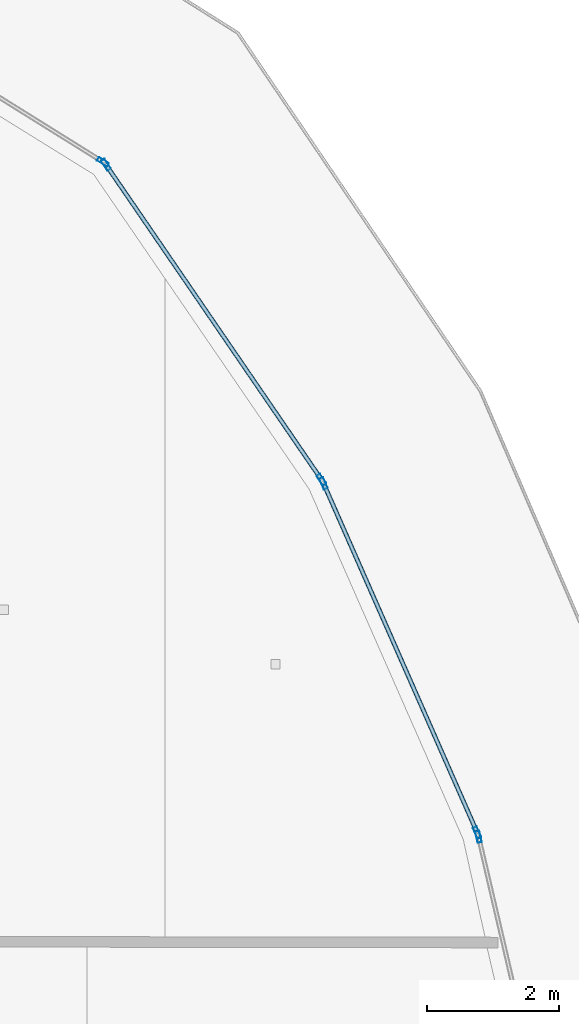
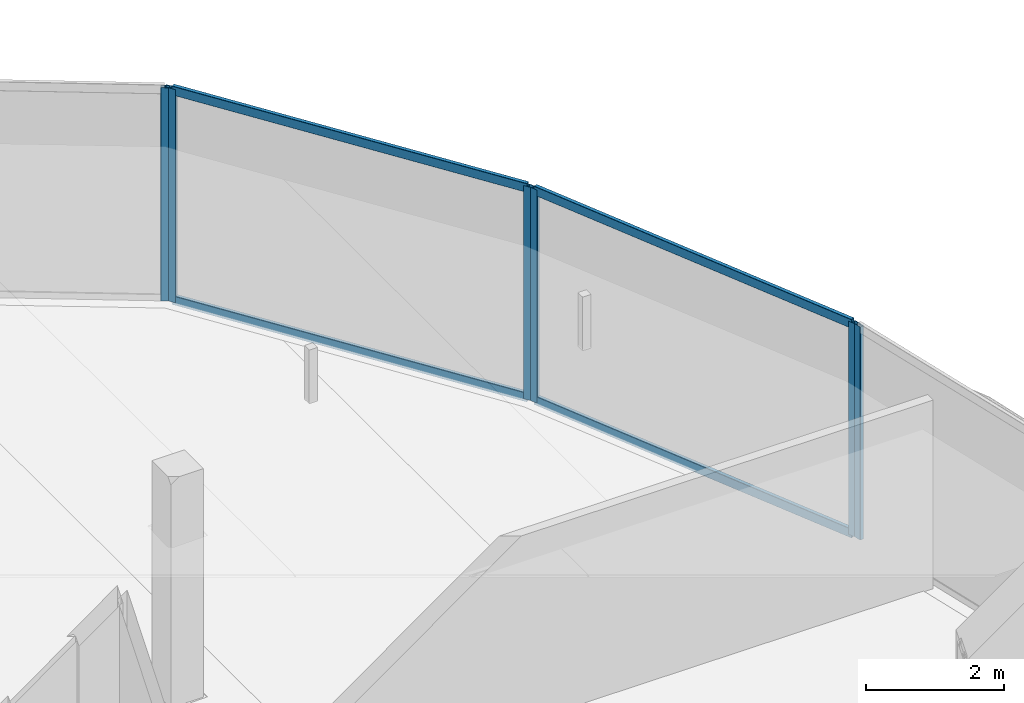
# One storey, part 18 of 30: 10 members, 4 elements without a shape of their own.
"""IFC4 building model written with IfcOpenShell, lengths in metres."""

from ifc_helpers import new_model, si_unit, direction, frame, origin, origin_2d, place, context, subcontext, project, spatial, hollow_rectangle, extrude, material, layer, layer_set, material_profile, profile_set, type_object, element, aggregate, save


model = new_model("IFC4")

# Units and contexts
model_context = context("Model", 3, precision=1e-05, world=origin(), true_north=direction((0.0, 1.0)))
body_context = subcontext(model_context, "Body", "Model", "MODEL_VIEW")
ifc_project = project(units=[si_unit("LENGTHUNIT", "METRE"), si_unit("AREAUNIT", "SQUARE_METRE"), si_unit("VOLUMEUNIT", "CUBIC_METRE"), si_unit("PLANEANGLEUNIT", "RADIAN"), si_unit("MASSUNIT", "GRAM", prefix="KILO")], contexts=[model_context])

# Site, building, storey
site_placement = place(None, origin())
site = spatial("IfcSite", under=ifc_project, at=site_placement, CompositionType="ELEMENT")
building_placement = place(site_placement, origin())
building = spatial("IfcBuilding", under=site, at=building_placement, Name="Qorvath Tower", CompositionType="ELEMENT")
storey_placement = place(building_placement, frame((0.0, 0.0, 217.199951171875)))
storey = spatial("IfcBuildingStorey", under=building, at=storey_placement, Name="L50", CompositionType="ELEMENT", Elevation=217.199951171875)

# Curtain wall, member
ifc_material_1 = material(Name="Anodised aluminium and triple low-E glass", Category="aluminium")
ifc_layer = layer(ifc_material_1, 0.179931640625)
ifc_layer_set = layer_set([ifc_layer], Name="CW-SYS-3")
curtain_wall_type = type_object("IfcCurtainWallType", Name="CW-SYS-3", PredefinedType="NOTDEFINED", material=ifc_layer_set)
curtain_wall_1_placement = place(storey_placement, origin())
curtain_wall_1 = element("IfcCurtainWall", 1, at=curtain_wall_1_placement, inside=storey, type_object=curtain_wall_type, Name="Curtain Wall CW-3 CW-T-L50-11.1", PredefinedType="NOTDEFINED")
ifc_material_2 = material(Name="Anodised aluminium 6063-T6", Category="aluminium")
ifc_material_profile_1 = material_profile(ifc_material_2, hollow_rectangle(XDim=0.06494140625, YDim=0.179931640625, WallThickness=0.00341796875, InnerFilletRadius=0.00341796875, OuterFilletRadius=0.007080078125, at=origin_2d()), Name="CWM 180x65")
ifc_profile_set_1 = profile_set([ifc_material_profile_1], Name="Anodised aluminium 6063-T6")
member_type_1 = type_object("IfcMemberType", Name="CWM-180", PredefinedType="MULLION", material=ifc_profile_set_1)
member_1_placement = place(storey_placement, frame((-1.26904296875, 9.935546875, 0.0), z_axis=(0.0, 0.0, 1.0), x_axis=(-0.97390782408, -0.226943936238, 0.0)))
member_1 = element("IfcMember", 2, at=member_1_placement, type_object=member_type_1, Name="CW-3 mullion 2", PredefinedType="MULLION", context=body_context, shape_type="SweptSolid", body=[
    extrude(hollow_rectangle(XDim=0.06494140625, YDim=0.179931640625, WallThickness=0.00341796875, InnerFilletRadius=0.00341796875, OuterFilletRadius=0.007080078125, at=origin_2d()), origin(), (0.0, 0.0, 1.0), 3.780029296875),
])
aggregate(curtain_wall_1, [member_1])

# Curtain wall, members
curtain_wall_2_placement = place(storey_placement, origin())
curtain_wall_2 = element("IfcCurtainWall", 3, at=curtain_wall_2_placement, inside=storey, type_object=curtain_wall_type, Name="Curtain Wall CW-3 CW-T-L50-12.1", PredefinedType="NOTDEFINED")
member_2_placement = place(storey_placement, frame((-1.28955078125, 9.9970703125, 0.0), z_axis=(0.0, 0.0, 1.0), x_axis=(-0.915321088723, -0.402724849666, 0.0)))
member_2 = element("IfcMember", 4, at=member_2_placement, type_object=member_type_1, Name="CW-3 mullion 1", PredefinedType="MULLION", context=body_context, shape_type="SweptSolid", body=[
    extrude(hollow_rectangle(XDim=0.06494140625, YDim=0.179931640625, WallThickness=0.00341796875, InnerFilletRadius=0.00341796875, OuterFilletRadius=0.007080078125, at=origin_2d()), origin(), (0.0, 0.0, 1.0), 3.780029296875),
])
member_3_placement = place(storey_placement, frame((-3.616455078125, 15.285888671875, 0.0), z_axis=(0.0, 0.0, 1.0), x_axis=(-0.915321088723, -0.402724849666, 0.0)))
member_3 = element("IfcMember", 5, at=member_3_placement, type_object=member_type_1, Name="CW-3 mullion 2", PredefinedType="MULLION", context=body_context, shape_type="SweptSolid", body=[
    extrude(hollow_rectangle(XDim=0.06494140625, YDim=0.179931640625, WallThickness=0.00341796875, InnerFilletRadius=0.00341796875, OuterFilletRadius=0.007080078125, at=origin_2d()), origin(), (0.0, 0.0, 1.0), 3.780029296875),
])

curtain_wall_3_placement = place(storey_placement, origin())
curtain_wall_3 = element("IfcCurtainWall", 6, at=curtain_wall_3_placement, inside=storey, type_object=curtain_wall_type, Name="Curtain Wall CW-3 CW-T-L50-13.1", PredefinedType="NOTDEFINED")
member_4_placement = place(storey_placement, frame((-3.64794921875, 15.342529296875, 0.0), z_axis=(0.0, 0.0, 1.0), x_axis=(-0.825264440165, -0.564746495163, 0.0)))
member_4 = element("IfcMember", 7, at=member_4_placement, type_object=member_type_1, Name="CW-3 mullion 1", PredefinedType="MULLION", context=body_context, shape_type="SweptSolid", body=[
    extrude(hollow_rectangle(XDim=0.06494140625, YDim=0.179931640625, WallThickness=0.00341796875, InnerFilletRadius=0.00341796875, OuterFilletRadius=0.007080078125, at=origin_2d()), origin(), (0.0, 0.0, 1.0), 3.780029296875),
])
member_5_placement = place(storey_placement, frame((-6.9111328125, 20.11083984375, 0.0), z_axis=(0.0, 0.0, 1.0), x_axis=(-0.825264440165, -0.564746495163, 0.0)))
member_5 = element("IfcMember", 8, at=member_5_placement, type_object=member_type_1, Name="CW-3 mullion 2", PredefinedType="MULLION", context=body_context, shape_type="SweptSolid", body=[
    extrude(hollow_rectangle(XDim=0.06494140625, YDim=0.179931640625, WallThickness=0.00341796875, InnerFilletRadius=0.00341796875, OuterFilletRadius=0.007080078125, at=origin_2d()), origin(), (0.0, 0.0, 1.0), 3.780029296875),
])

# Curtain wall, member
curtain_wall_4_placement = place(storey_placement, origin())
curtain_wall_4 = element("IfcCurtainWall", 9, at=curtain_wall_4_placement, inside=storey, type_object=curtain_wall_type, Name="Curtain Wall CW-3 CW-T-L50-14.1", PredefinedType="NOTDEFINED")
member_6_placement = place(storey_placement, frame((-6.95703125, 20.15478515625, 0.0), z_axis=(0.0, 0.0, 1.0), x_axis=(-0.528981931327, -0.848633086987, 0.0)))
member_6 = element("IfcMember", 10, at=member_6_placement, type_object=member_type_1, Name="CW-3 mullion 1", PredefinedType="MULLION", context=body_context, shape_type="SweptSolid", body=[
    extrude(hollow_rectangle(XDim=0.06494140625, YDim=0.179931640625, WallThickness=0.00341796875, InnerFilletRadius=0.00341796875, OuterFilletRadius=0.007080078125, at=origin_2d()), origin(), (0.0, 0.0, 1.0), 3.780029296875),
])
aggregate(curtain_wall_4, [member_6])

# Member
ifc_material_3 = material(Name="Anodised aluminium 6063-T6", Category="aluminium")
ifc_material_profile_2 = material_profile(ifc_material_3, hollow_rectangle(XDim=0.06494140625, YDim=0.159912109375, WallThickness=0.00341796875, InnerFilletRadius=0.00341796875, OuterFilletRadius=0.007080078125, at=origin_2d()), Name="CWT 160x65")
ifc_profile_set_2 = profile_set([ifc_material_profile_2], Name="Anodised aluminium 6063-T6")
member_type_2 = type_object("IfcMemberType", Name="CWT-160", PredefinedType="USERDEFINED", material=ifc_profile_set_2)
member_7_placement = place(storey_placement, frame((-1.302490234375, 10.02685546875, 0.032470703125), z_axis=(-0.402761527447, 0.915304950281, 0.0), x_axis=(-0.915304950281, -0.402761527447, 0.0)))
member_7 = element("IfcMember", 11, at=member_7_placement, type_object=member_type_2, Name="CW-3 transom 1.1", ObjectType="TRANSOM", PredefinedType="USERDEFINED", context=body_context, shape_type="SweptSolid", body=[
    extrude(hollow_rectangle(XDim=0.06494140625, YDim=0.159912109375, WallThickness=0.00341796875, InnerFilletRadius=0.00341796875, OuterFilletRadius=0.007080078125, at=origin_2d()), origin(), (0.0, 0.0, 1.0), 5.713134765625),
])

member_8_placement = place(storey_placement, frame((-1.302490234375, 10.02685546875, 3.74755859375), z_axis=(-0.402761527447, 0.915304950281, 0.0), x_axis=(-0.915304950281, -0.402761527447, 0.0)))
member_8 = element("IfcMember", 12, at=member_8_placement, type_object=member_type_2, Name="CW-3 transom 1.2", ObjectType="TRANSOM", PredefinedType="USERDEFINED", context=body_context, shape_type="SweptSolid", body=[
    extrude(hollow_rectangle(XDim=0.06494140625, YDim=0.159912109375, WallThickness=0.00341796875, InnerFilletRadius=0.00341796875, OuterFilletRadius=0.007080078125, at=origin_2d()), origin(), (0.0, 0.0, 1.0), 5.713134765625),
])

aggregate(curtain_wall_2, [member_2, member_3, member_7, member_8])

member_9_placement = place(storey_placement, frame((-3.666259765625, 15.369384765625, 0.032470703125), z_axis=(-0.564748258868, 0.82526323322, 0.0), x_axis=(-0.82526323322, -0.564748258868, 0.0)))
member_9 = element("IfcMember", 13, at=member_9_placement, type_object=member_type_2, Name="CW-3 transom 1.1", ObjectType="TRANSOM", PredefinedType="USERDEFINED", context=body_context, shape_type="SweptSolid", body=[
    extrude(hollow_rectangle(XDim=0.06494140625, YDim=0.159912109375, WallThickness=0.00341796875, InnerFilletRadius=0.00341796875, OuterFilletRadius=0.007080078125, at=origin_2d()), origin(), (0.0, 0.0, 1.0), 5.712890625),
])

member_10_placement = place(storey_placement, frame((-3.666259765625, 15.369384765625, 3.74755859375), z_axis=(-0.564748258868, 0.82526323322, 0.0), x_axis=(-0.82526323322, -0.564748258868, 0.0)))
member_10 = element("IfcMember", 14, at=member_10_placement, type_object=member_type_2, Name="CW-3 transom 1.2", ObjectType="TRANSOM", PredefinedType="USERDEFINED", context=body_context, shape_type="SweptSolid", body=[
    extrude(hollow_rectangle(XDim=0.06494140625, YDim=0.159912109375, WallThickness=0.00341796875, InnerFilletRadius=0.00341796875, OuterFilletRadius=0.007080078125, at=origin_2d()), origin(), (0.0, 0.0, 1.0), 5.712890625),
])

aggregate(curtain_wall_3, [member_4, member_5, member_9, member_10])

save(model, "model.ifc")
